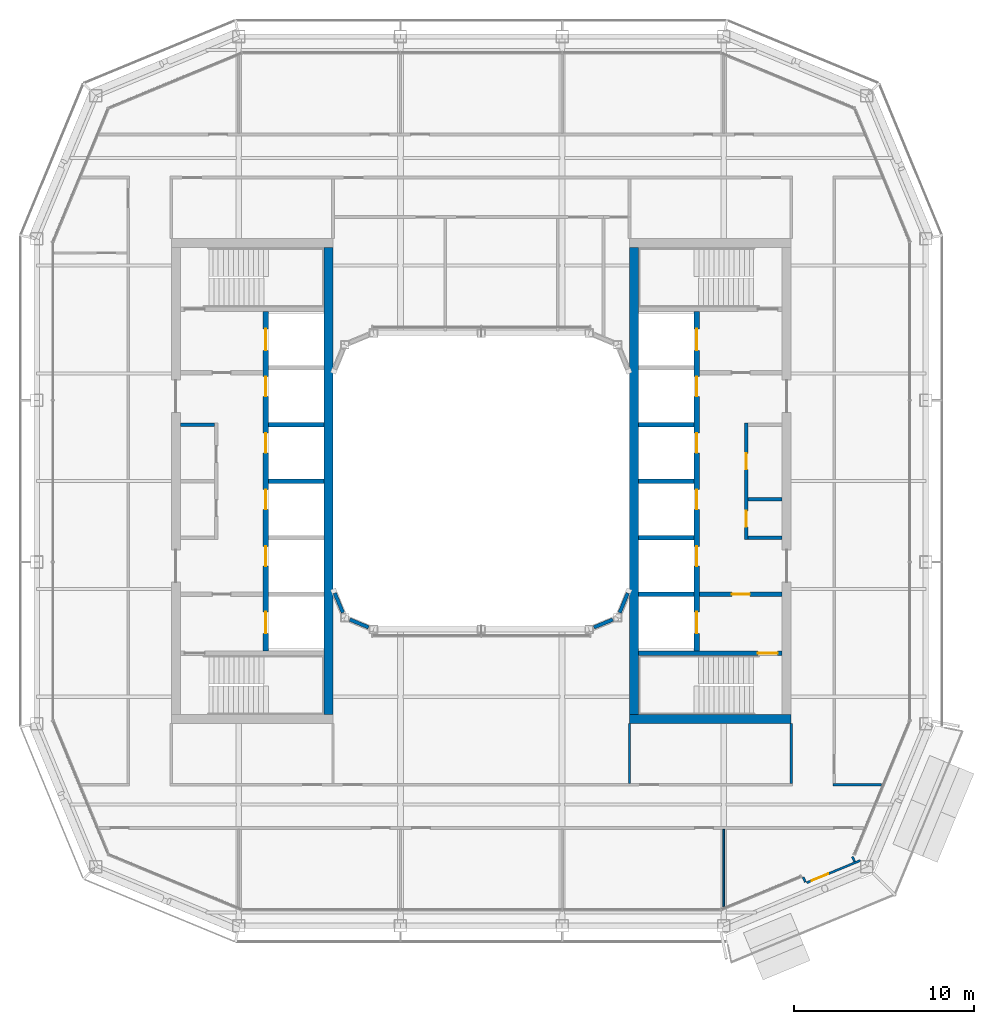
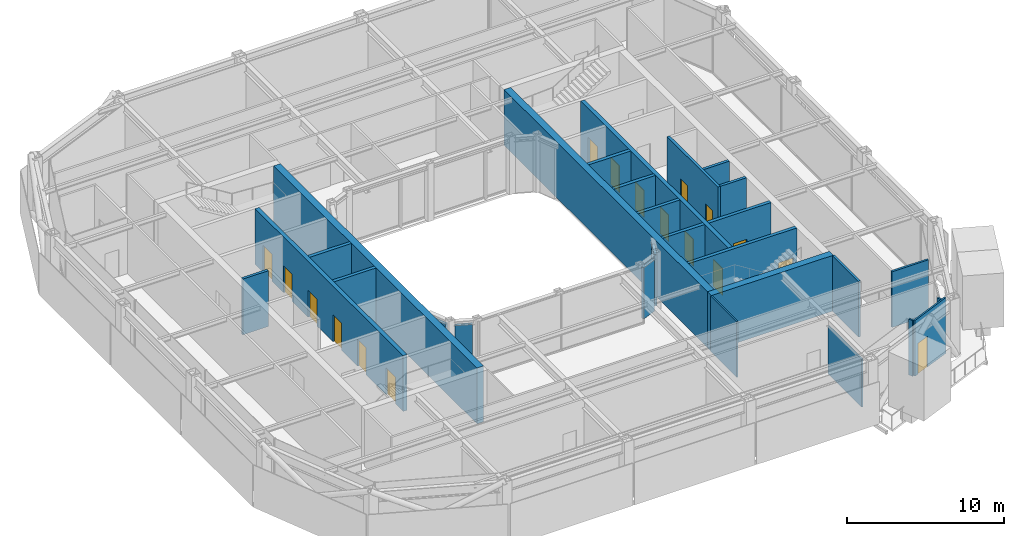
# One storey, part 12 of 21: 28 walls, 17 doors, 17 openings.
"""IFC4 building model written with IfcOpenShell, lengths in metres."""

from ifc_helpers import new_model, si_unit, direction, frame, frame_2d, origin, place, context, subcontext, project, spatial, rectangle, extrude, material, layer, layer_set, type_object, element, fill, save


model = new_model("IFC4")

# Units and contexts
model_context = context("Model", 3, precision=1e-05, world=origin(), true_north=direction((0.0, 1.0)))
body_context = subcontext(model_context, "Body", "Model", "MODEL_VIEW")
ifc_project = project(units=[si_unit("LENGTHUNIT", "METRE"), si_unit("AREAUNIT", "SQUARE_METRE"), si_unit("VOLUMEUNIT", "CUBIC_METRE"), si_unit("PLANEANGLEUNIT", "RADIAN"), si_unit("MASSUNIT", "GRAM", prefix="KILO")], contexts=[model_context])

# Site, building, storey
site_placement = place(None, origin())
site = spatial("IfcSite", under=ifc_project, at=site_placement, CompositionType="ELEMENT")
building_placement = place(site_placement, origin())
building = spatial("IfcBuilding", under=site, at=building_placement, Name="Siwar Civic Tower", CompositionType="ELEMENT")
storey_placement = place(building_placement, frame((0.0, 0.0, 339.199951171875)))
storey = spatial("IfcBuildingStorey", under=building, at=storey_placement, Name="L73", CompositionType="ELEMENT", Elevation=339.199951171875)

# Wall
ifc_material_1 = material(Name="Gypsum board on steel studs", Category="steel")
ifc_layer_1 = layer(ifc_material_1, 0.199951171875)
ifc_layer_set_1 = layer_set([ifc_layer_1], Name="Gypsum board on steel studs")
wall_type_1 = type_object("IfcWallType", Name="CORE-PARTITION-200", PredefinedType="PARTITIONING", material=ifc_layer_set_1)
wall_1_placement = place(storey_placement, frame((-14.85009765625, 3.14990234375, 0.0), z_axis=(0.0, 0.0, 1.0), x_axis=(-1.0, 0.0, 0.0)))
element("IfcWall", 1, at=wall_1_placement, inside=storey, type_object=wall_type_1, Name="Core partition W", PredefinedType="PARTITIONING", context=body_context, shape_type="SweptSolid", body=[
    extrude(rectangle(XDim=1.89990234375, YDim=0.199951171875, at=frame_2d((0.949951171875, 0.0))), origin(), (0.0, 0.0, 1.0), 4.35009765625),
])

# Wall, openings, doors
wall_2_placement = place(storey_placement, frame((14.75, -3.25, 0.0), z_axis=(0.0, 0.0, 1.0), x_axis=(0.0, 1.0, 0.0)))
wall_2 = element("IfcWall", 2, at=wall_2_placement, inside=storey, type_object=wall_type_1, Name="Core partition E", PredefinedType="PARTITIONING", context=body_context, shape_type="SweptSolid", body=[
    extrude(rectangle(XDim=6.5, YDim=0.199951171875, at=frame_2d((3.25, 0.0))), origin(), (0.0, 0.0, 1.0), 4.35009765625),
])
opening_1_placement = place(wall_2_placement, frame((0.699951171875, 0.0, 0.0)))
opening_1 = element("IfcOpeningElement", 3, at=opening_1_placement, cuts=wall_2, Name="Opening L73-CE13", PredefinedType="OPENING", context=body_context, shape_type="SweptSolid", body=[
    extrude(rectangle(XDim=0.89990234375, YDim=2.10009765625, at=frame_2d((0.449951171875, 1.050048828125))), frame((0.0, 0.10986328125, 0.0), z_axis=(0.0, -1.0, 0.0), x_axis=(1.0, 0.0, 0.0)), (0.0, 0.0, 1.0), 0.219970703125),
])
opening_2_placement = place(wall_2_placement, frame((3.89990234375, 0.0, 0.0)))
opening_2 = element("IfcOpeningElement", 4, at=opening_2_placement, cuts=wall_2, Name="Opening L73-CE14", PredefinedType="OPENING", context=body_context, shape_type="SweptSolid", body=[
    extrude(rectangle(XDim=0.89990234375, YDim=2.10009765625, at=frame_2d((0.449951171875, 1.050048828125))), frame((0.0, 0.10986328125, 0.0), z_axis=(0.0, -1.0, 0.0), x_axis=(1.0, 0.0, 0.0)), (0.0, 0.0, 1.0), 0.219970703125),
])
ifc_material_2 = material(Name="Steel door leaf", Category="steel")
door_type_1 = type_object("IfcDoorType", Name="CORE-DOOR-ROOM", OperationType="SINGLE_SWING_LEFT", PredefinedType="DOOR", material=ifc_material_2)
door_1_placement = place(opening_1_placement, origin())
door_1 = element("IfcDoor", 5, at=door_1_placement, inside=storey, type_object=door_type_1, Name="Core room door L73-CE13", OperationType="SINGLE_SWING_LEFT", OverallHeight=2.10009765625, OverallWidth=0.89990234375, PredefinedType="DOOR", context=body_context, shape_type="SweptSolid", body=[
    extrude(rectangle(XDim=0.89990234375, YDim=2.10009765625, at=frame_2d((0.449951171875, 1.050048828125))), frame((0.0, 0.02490234375, 0.0), z_axis=(0.0, -1.0, 0.0), x_axis=(1.0, 0.0, 0.0)), (0.0, 0.0, 1.0), 0.050048828125),
])
fill(opening_1, door_1)
door_2_placement = place(opening_2_placement, origin())
door_2 = element("IfcDoor", 6, at=door_2_placement, inside=storey, type_object=door_type_1, Name="Core room door L73-CE14", OperationType="SINGLE_SWING_RIGHT", OverallHeight=2.10009765625, OverallWidth=0.89990234375, PredefinedType="DOOR", context=body_context, shape_type="SweptSolid", body=[
    extrude(rectangle(XDim=0.89990234375, YDim=2.10009765625, at=frame_2d((0.449951171875, 1.050048828125))), frame((0.0, 0.02490234375, 0.0), z_axis=(0.0, -1.0, 0.0), x_axis=(1.0, 0.0, 0.0)), (0.0, 0.0, 1.0), 0.050048828125),
])
fill(opening_2, door_2)

# Walls
for number, where, z_axis, x_axis, name in (
    (7, (14.85009765625, -3.14990234375, 0.0), (0.0, 0.0, 1.0), (1.0, 0.0, 0.0), "Core partition E"),
    (8, (14.85009765625, -1.0, 0.0), (0.0, 0.0, 1.0), (1.0, 0.0, 0.0), "Core partition E"),
):
    element("IfcWall", number, at=place(storey_placement, frame(where, z_axis=z_axis, x_axis=x_axis)), inside=storey, type_object=wall_type_1, Name=name, PredefinedType="PARTITIONING", context=body_context, shape_type="SweptSolid", body=[
        extrude(rectangle(XDim=1.89990234375, YDim=0.199951171875, at=frame_2d((0.949951171875, 0.0))), origin(), (0.0, 0.0, 1.0), 4.35009765625),
    ])
ifc_material_3 = material(Name="Concrete C60/75", Category="concrete")
ifc_layer_2 = layer(ifc_material_3, 0.25)
ifc_layer_set_2 = layer_set([ifc_layer_2], Name="Concrete C60/75")
wall_type_2 = type_object("IfcWallType", Name="CORE-WALL-RC250", PredefinedType="SHEAR", material=ifc_layer_set_2)
for number, where, z_axis, x_axis, name in (
    (9, (-8.75, 0.0, 0.0), (0.0, 0.0, 1.0), (-1.0, 0.0, 0.0), "Core wall W"),
    (10, (-8.75, 3.14990234375, 0.0), (0.0, 0.0, 1.0), (-1.0, 0.0, 0.0), "Core wall W"),
):
    element("IfcWall", number, at=place(storey_placement, frame(where, z_axis=z_axis, x_axis=x_axis)), inside=storey, type_object=wall_type_2, Name=name, PredefinedType="SHEAR", context=body_context, shape_type="SweptSolid", body=[
        extrude(rectangle(XDim=3.10009765625, YDim=0.25, at=frame_2d((1.550048828125, 0.0))), origin(), (0.0, 0.0, 1.0), 4.35009765625),
    ])

# Wall, opening, door
wall_3_placement = place(storey_placement, frame((12.14990234375, -6.300048828125, 0.0), z_axis=(0.0, 0.0, 1.0), x_axis=(1.0, 0.0, 0.0)))
wall_3 = element("IfcWall", 11, at=wall_3_placement, inside=storey, type_object=wall_type_2, Name="Core wall E", PredefinedType="SHEAR", context=body_context, shape_type="SweptSolid", body=[
    extrude(rectangle(XDim=4.60009765625, YDim=0.25, at=frame_2d((2.300048828125, 0.0))), origin(), (0.0, 0.0, 1.0), 4.35009765625),
])
opening_3_placement = place(wall_3_placement, frame((1.800048828125, 0.0, 0.0)))
opening_3 = element("IfcOpeningElement", 12, at=opening_3_placement, cuts=wall_3, Name="Opening L73-CE02", PredefinedType="OPENING", context=body_context, shape_type="SweptSolid", body=[
    extrude(rectangle(XDim=1.0, YDim=2.10009765625, at=frame_2d((0.5, 1.050048828125))), frame((0.0, 0.135009765625, 0.0), z_axis=(0.0, -1.0, 0.0), x_axis=(1.0, 0.0, 0.0)), (0.0, 0.0, 1.0), 0.27001953125),
])
ifc_material_4 = material(Name="Steel door leaf", Category="steel")
door_type_2 = type_object("IfcDoorType", Name="CORE-DOOR-FD30S", OperationType="SINGLE_SWING_LEFT", PredefinedType="DOOR", material=ifc_material_4)
door_3_placement = place(opening_3_placement, origin())
door_3 = element("IfcDoor", 13, at=door_3_placement, inside=storey, type_object=door_type_2, Name="Service lobby door L73-CE02", OperationType="SINGLE_SWING_LEFT", OverallHeight=2.10009765625, OverallWidth=1.0, PredefinedType="DOOR", context=body_context, shape_type="SweptSolid", body=[
    extrude(rectangle(XDim=1.0, YDim=2.10009765625, at=frame_2d((0.5, 1.050048828125))), frame((0.0, 0.02490234375, 0.0), z_axis=(0.0, -1.0, 0.0), x_axis=(1.0, 0.0, 0.0)), (0.0, 0.0, 1.0), 0.050048828125),
])
fill(opening_3, door_3)

# Walls
for number, where, z_axis, x_axis, name in (
    (14, (8.75, 0.0, 0.0), (0.0, 0.0, 1.0), (1.0, 0.0, 0.0), "Core wall E"),
    (15, (8.75, 3.14990234375, 0.0), (0.0, 0.0, 1.0), (1.0, 0.0, 0.0), "Core wall E"),
    (16, (8.75, -3.14990234375, 0.0), (0.0, 0.0, 1.0), (1.0, 0.0, 0.0), "Core wall E"),
    (17, (8.75, -6.300048828125, 0.0), (0.0, 0.0, 1.0), (1.0, 0.0, 0.0), "Core wall E"),
):
    element("IfcWall", number, at=place(storey_placement, frame(where, z_axis=z_axis, x_axis=x_axis)), inside=storey, type_object=wall_type_2, Name=name, PredefinedType="SHEAR", context=body_context, shape_type="SweptSolid", body=[
        extrude(rectangle(XDim=3.10009765625, YDim=0.25, at=frame_2d((1.550048828125, 0.0))), origin(), (0.0, 0.0, 1.0), 4.35009765625),
    ])

# Wall, opening, door
wall_4_placement = place(storey_placement, frame((8.75, -9.574951171875, 0.0), z_axis=(0.0, 0.0, 1.0), x_axis=(1.0, 0.0, 0.0)))
wall_4 = element("IfcWall", 18, at=wall_4_placement, inside=storey, type_object=wall_type_2, Name="Core wall E", PredefinedType="SHEAR", context=body_context, shape_type="SweptSolid", body=[
    extrude(rectangle(XDim=8.0, YDim=0.25, at=frame_2d((4.0, 0.0))), origin(), (0.0, 0.0, 1.0), 4.35009765625),
])
opening_4_placement = place(wall_4_placement, frame((6.64990234375, 0.0, 0.0)))
opening_4 = element("IfcOpeningElement", 19, at=opening_4_placement, cuts=wall_4, Name="Opening L73-CE04", PredefinedType="OPENING", context=body_context, shape_type="SweptSolid", body=[
    extrude(rectangle(XDim=1.10009765625, YDim=2.10009765625, at=frame_2d((0.550048828125, 1.050048828125))), frame((0.0, 0.135009765625, 0.0), z_axis=(0.0, -1.0, 0.0), x_axis=(1.0, 0.0, 0.0)), (0.0, 0.0, 1.0), 0.27001953125),
])
ifc_material_5 = material(Name="Steel door leaf", Category="steel")
door_type_3 = type_object("IfcDoorType", Name="CORE-DOOR-FD60S", OperationType="SINGLE_SWING_LEFT", PredefinedType="DOOR", material=ifc_material_5)
door_4_placement = place(opening_4_placement, origin())
door_4 = element("IfcDoor", 20, at=door_4_placement, inside=storey, type_object=door_type_3, Name="Stair door L73-CE04", OperationType="SINGLE_SWING_RIGHT", OverallHeight=2.10009765625, OverallWidth=1.10009765625, PredefinedType="DOOR", context=body_context, shape_type="SweptSolid", body=[
    extrude(rectangle(XDim=1.10009765625, YDim=2.10009765625, at=frame_2d((0.550048828125, 1.050048828125))), frame((0.0, 0.02490234375, 0.0), z_axis=(0.0, -1.0, 0.0), x_axis=(1.0, 0.0, 0.0)), (0.0, 0.0, 1.0), 0.050048828125),
])
fill(opening_4, door_4)

# Wall, openings, doors
ifc_material_6 = material(Name="Concrete C60/75", Category="concrete")
ifc_layer_3 = layer(ifc_material_6, 0.300048828125)
ifc_layer_set_3 = layer_set([ifc_layer_3], Name="Concrete C60/75")
wall_type_3 = type_object("IfcWallType", Name="CORE-WALL-RC300", PredefinedType="SHEAR", material=ifc_layer_set_3)
wall_5_placement = place(storey_placement, frame((-12.0, -9.449951171875, 0.0), z_axis=(0.0, 0.0, 1.0), x_axis=(0.0, 1.0, 0.0)))
wall_5 = element("IfcWall", 21, at=wall_5_placement, inside=storey, type_object=wall_type_3, Name="Core wall W", PredefinedType="SHEAR", context=body_context, shape_type="SweptSolid", body=[
    extrude(rectangle(XDim=18.89990234375, YDim=0.300048828125, at=frame_2d((9.449951171875, 0.0))), origin(), (0.0, 0.0, 1.0), 4.35009765625),
])
opening_5_placement = place(wall_5_placement, frame((4.72509765625, 0.0, 0.0)))
opening_5 = element("IfcOpeningElement", 22, at=opening_5_placement, cuts=wall_5, Name="Opening L73-CW07", PredefinedType="OPENING", context=body_context, shape_type="SweptSolid", body=[
    extrude(rectangle(XDim=1.10009765625, YDim=2.10009765625, at=frame_2d((0.550048828125, 1.050048828125))), frame((0.0, 0.16015625, 0.0), z_axis=(0.0, -1.0, 0.0), x_axis=(1.0, 0.0, 0.0)), (0.0, 0.0, 1.0), 0.320068359375),
])
opening_6_placement = place(wall_5_placement, frame((7.875, 0.0, 0.0)))
opening_6 = element("IfcOpeningElement", 23, at=opening_6_placement, cuts=wall_5, Name="Opening L73-CW08", PredefinedType="OPENING", context=body_context, shape_type="SweptSolid", body=[
    extrude(rectangle(XDim=1.10009765625, YDim=2.10009765625, at=frame_2d((0.550048828125, 1.050048828125))), frame((0.0, 0.16015625, 0.0), z_axis=(0.0, -1.0, 0.0), x_axis=(1.0, 0.0, 0.0)), (0.0, 0.0, 1.0), 0.320068359375),
])
opening_7_placement = place(wall_5_placement, frame((11.02490234375, 0.0, 0.0)))
opening_7 = element("IfcOpeningElement", 24, at=opening_7_placement, cuts=wall_5, Name="Opening L73-CW09", PredefinedType="OPENING", context=body_context, shape_type="SweptSolid", body=[
    extrude(rectangle(XDim=1.10009765625, YDim=2.10009765625, at=frame_2d((0.550048828125, 1.050048828125))), frame((0.0, 0.16015625, 0.0), z_axis=(0.0, -1.0, 0.0), x_axis=(1.0, 0.0, 0.0)), (0.0, 0.0, 1.0), 0.320068359375),
])
opening_8_placement = place(wall_5_placement, frame((14.175048828125, 0.0, 0.0)))
opening_8 = element("IfcOpeningElement", 25, at=opening_8_placement, cuts=wall_5, Name="Opening L73-CW10", PredefinedType="OPENING", context=body_context, shape_type="SweptSolid", body=[
    extrude(rectangle(XDim=1.10009765625, YDim=2.10009765625, at=frame_2d((0.550048828125, 1.050048828125))), frame((0.0, 0.16015625, 0.0), z_axis=(0.0, -1.0, 0.0), x_axis=(1.0, 0.0, 0.0)), (0.0, 0.0, 1.0), 0.320068359375),
])
opening_9_placement = place(wall_5_placement, frame((16.72509765625, 0.0, 0.0)))
opening_9 = element("IfcOpeningElement", 26, at=opening_9_placement, cuts=wall_5, Name="Opening L73-CW11", PredefinedType="OPENING", context=body_context, shape_type="SweptSolid", body=[
    extrude(rectangle(XDim=1.199951171875, YDim=2.10009765625, at=frame_2d((0.60009765625, 1.050048828125))), frame((0.0, 0.16015625, 0.0), z_axis=(0.0, -1.0, 0.0), x_axis=(1.0, 0.0, 0.0)), (0.0, 0.0, 1.0), 0.320068359375),
])
opening_10_placement = place(wall_5_placement, frame((0.97509765625, 0.0, 0.0)))
opening_10 = element("IfcOpeningElement", 27, at=opening_10_placement, cuts=wall_5, Name="Opening L73-CW12", PredefinedType="OPENING", context=body_context, shape_type="SweptSolid", body=[
    extrude(rectangle(XDim=1.199951171875, YDim=2.10009765625, at=frame_2d((0.60009765625, 1.050048828125))), frame((0.0, 0.16015625, 0.0), z_axis=(0.0, -1.0, 0.0), x_axis=(1.0, 0.0, 0.0)), (0.0, 0.0, 1.0), 0.320068359375),
])
ifc_material_7 = material(Name="Steel door leaf", Category="steel")
door_type_4 = type_object("IfcDoorType", Name="CORE-DOOR-LD", OperationType="DOUBLE_DOOR_SLIDING", PredefinedType="DOOR", material=ifc_material_7)
door_5_placement = place(opening_5_placement, origin())
door_5 = element("IfcDoor", 28, at=door_5_placement, inside=storey, type_object=door_type_4, Name="Landing door HR1 L73-CW07", OperationType="DOUBLE_DOOR_SLIDING", OverallHeight=2.10009765625, OverallWidth=1.10009765625, PredefinedType="DOOR", context=body_context, shape_type="SweptSolid", body=[
    extrude(rectangle(XDim=1.10009765625, YDim=2.10009765625, at=frame_2d((0.550048828125, 1.050048828125))), frame((0.0, 0.02490234375, 0.0), z_axis=(0.0, -1.0, 0.0), x_axis=(1.0, 0.0, 0.0)), (0.0, 0.0, 1.0), 0.050048828125),
])
fill(opening_5, door_5)
door_6_placement = place(opening_6_placement, origin())
door_6 = element("IfcDoor", 29, at=door_6_placement, inside=storey, type_object=door_type_4, Name="Landing door HR2 L73-CW08", OperationType="DOUBLE_DOOR_SLIDING", OverallHeight=2.10009765625, OverallWidth=1.10009765625, PredefinedType="DOOR", context=body_context, shape_type="SweptSolid", body=[
    extrude(rectangle(XDim=1.10009765625, YDim=2.10009765625, at=frame_2d((0.550048828125, 1.050048828125))), frame((0.0, 0.02490234375, 0.0), z_axis=(0.0, -1.0, 0.0), x_axis=(1.0, 0.0, 0.0)), (0.0, 0.0, 1.0), 0.050048828125),
])
fill(opening_6, door_6)
door_7_placement = place(opening_7_placement, origin())
door_7 = element("IfcDoor", 30, at=door_7_placement, inside=storey, type_object=door_type_4, Name="Landing door HR3 L73-CW09", OperationType="DOUBLE_DOOR_SLIDING", OverallHeight=2.10009765625, OverallWidth=1.10009765625, PredefinedType="DOOR", context=body_context, shape_type="SweptSolid", body=[
    extrude(rectangle(XDim=1.10009765625, YDim=2.10009765625, at=frame_2d((0.550048828125, 1.050048828125))), frame((0.0, 0.02490234375, 0.0), z_axis=(0.0, -1.0, 0.0), x_axis=(1.0, 0.0, 0.0)), (0.0, 0.0, 1.0), 0.050048828125),
])
fill(opening_7, door_7)
door_8_placement = place(opening_8_placement, origin())
door_8 = element("IfcDoor", 31, at=door_8_placement, inside=storey, type_object=door_type_4, Name="Landing door HR4 L73-CW10", OperationType="DOUBLE_DOOR_SLIDING", OverallHeight=2.10009765625, OverallWidth=1.10009765625, PredefinedType="DOOR", context=body_context, shape_type="SweptSolid", body=[
    extrude(rectangle(XDim=1.10009765625, YDim=2.10009765625, at=frame_2d((0.550048828125, 1.050048828125))), frame((0.0, 0.02490234375, 0.0), z_axis=(0.0, -1.0, 0.0), x_axis=(1.0, 0.0, 0.0)), (0.0, 0.0, 1.0), 0.050048828125),
])
fill(opening_8, door_8)
ifc_material_8 = material(Name="Steel door leaf", Category="steel")
door_type_5 = type_object("IfcDoorType", Name="CORE-DOOR-LDW", OperationType="DOUBLE_DOOR_SLIDING", PredefinedType="DOOR", material=ifc_material_8)
door_9_placement = place(opening_9_placement, origin())
door_9 = element("IfcDoor", 32, at=door_9_placement, inside=storey, type_object=door_type_5, Name="Landing door FF1 L73-CW11", OperationType="DOUBLE_DOOR_SLIDING", OverallHeight=2.10009765625, OverallWidth=1.199951171875, PredefinedType="DOOR", context=body_context, shape_type="SweptSolid", body=[
    extrude(rectangle(XDim=1.199951171875, YDim=2.10009765625, at=frame_2d((0.60009765625, 1.050048828125))), frame((0.0, 0.02490234375, 0.0), z_axis=(0.0, -1.0, 0.0), x_axis=(1.0, 0.0, 0.0)), (0.0, 0.0, 1.0), 0.050048828125),
])
fill(opening_9, door_9)
door_10_placement = place(opening_10_placement, origin())
door_10 = element("IfcDoor", 33, at=door_10_placement, inside=storey, type_object=door_type_5, Name="Landing door SV1 L73-CW12", OperationType="DOUBLE_DOOR_SLIDING", OverallHeight=2.10009765625, OverallWidth=1.199951171875, PredefinedType="DOOR", context=body_context, shape_type="SweptSolid", body=[
    extrude(rectangle(XDim=1.199951171875, YDim=2.10009765625, at=frame_2d((0.60009765625, 1.050048828125))), frame((0.0, 0.02490234375, 0.0), z_axis=(0.0, -1.0, 0.0), x_axis=(1.0, 0.0, 0.0)), (0.0, 0.0, 1.0), 0.050048828125),
])
fill(opening_10, door_10)

wall_6_placement = place(storey_placement, frame((12.0, -9.449951171875, 0.0), z_axis=(0.0, 0.0, 1.0), x_axis=(0.0, 1.0, 0.0)))
wall_6 = element("IfcWall", 34, at=wall_6_placement, inside=storey, type_object=wall_type_3, Name="Core wall E", PredefinedType="SHEAR", context=body_context, shape_type="SweptSolid", body=[
    extrude(rectangle(XDim=18.89990234375, YDim=0.300048828125, at=frame_2d((9.449951171875, 0.0))), origin(), (0.0, 0.0, 1.0), 4.35009765625),
])
opening_11_placement = place(wall_6_placement, frame((4.72509765625, 0.0, 0.0)))
opening_11 = element("IfcOpeningElement", 35, at=opening_11_placement, cuts=wall_6, Name="Opening L73-CE07", PredefinedType="OPENING", context=body_context, shape_type="SweptSolid", body=[
    extrude(rectangle(XDim=1.10009765625, YDim=2.10009765625, at=frame_2d((0.550048828125, 1.050048828125))), frame((0.0, 0.16015625, 0.0), z_axis=(0.0, -1.0, 0.0), x_axis=(1.0, 0.0, 0.0)), (0.0, 0.0, 1.0), 0.320068359375),
])
opening_12_placement = place(wall_6_placement, frame((7.875, 0.0, 0.0)))
opening_12 = element("IfcOpeningElement", 36, at=opening_12_placement, cuts=wall_6, Name="Opening L73-CE08", PredefinedType="OPENING", context=body_context, shape_type="SweptSolid", body=[
    extrude(rectangle(XDim=1.10009765625, YDim=2.10009765625, at=frame_2d((0.550048828125, 1.050048828125))), frame((0.0, 0.16015625, 0.0), z_axis=(0.0, -1.0, 0.0), x_axis=(1.0, 0.0, 0.0)), (0.0, 0.0, 1.0), 0.320068359375),
])
opening_13_placement = place(wall_6_placement, frame((11.02490234375, 0.0, 0.0)))
opening_13 = element("IfcOpeningElement", 37, at=opening_13_placement, cuts=wall_6, Name="Opening L73-CE09", PredefinedType="OPENING", context=body_context, shape_type="SweptSolid", body=[
    extrude(rectangle(XDim=1.10009765625, YDim=2.10009765625, at=frame_2d((0.550048828125, 1.050048828125))), frame((0.0, 0.16015625, 0.0), z_axis=(0.0, -1.0, 0.0), x_axis=(1.0, 0.0, 0.0)), (0.0, 0.0, 1.0), 0.320068359375),
])
opening_14_placement = place(wall_6_placement, frame((14.175048828125, 0.0, 0.0)))
opening_14 = element("IfcOpeningElement", 38, at=opening_14_placement, cuts=wall_6, Name="Opening L73-CE10", PredefinedType="OPENING", context=body_context, shape_type="SweptSolid", body=[
    extrude(rectangle(XDim=1.10009765625, YDim=2.10009765625, at=frame_2d((0.550048828125, 1.050048828125))), frame((0.0, 0.16015625, 0.0), z_axis=(0.0, -1.0, 0.0), x_axis=(1.0, 0.0, 0.0)), (0.0, 0.0, 1.0), 0.320068359375),
])
opening_15_placement = place(wall_6_placement, frame((16.72509765625, 0.0, 0.0)))
opening_15 = element("IfcOpeningElement", 39, at=opening_15_placement, cuts=wall_6, Name="Opening L73-CE11", PredefinedType="OPENING", context=body_context, shape_type="SweptSolid", body=[
    extrude(rectangle(XDim=1.199951171875, YDim=2.10009765625, at=frame_2d((0.60009765625, 1.050048828125))), frame((0.0, 0.16015625, 0.0), z_axis=(0.0, -1.0, 0.0), x_axis=(1.0, 0.0, 0.0)), (0.0, 0.0, 1.0), 0.320068359375),
])
opening_16_placement = place(wall_6_placement, frame((0.97509765625, 0.0, 0.0)))
opening_16 = element("IfcOpeningElement", 40, at=opening_16_placement, cuts=wall_6, Name="Opening L73-CE12", PredefinedType="OPENING", context=body_context, shape_type="SweptSolid", body=[
    extrude(rectangle(XDim=1.199951171875, YDim=2.10009765625, at=frame_2d((0.60009765625, 1.050048828125))), frame((0.0, 0.16015625, 0.0), z_axis=(0.0, -1.0, 0.0), x_axis=(1.0, 0.0, 0.0)), (0.0, 0.0, 1.0), 0.320068359375),
])
door_11_placement = place(opening_11_placement, origin())
door_11 = element("IfcDoor", 41, at=door_11_placement, inside=storey, type_object=door_type_4, Name="Landing door HR5 L73-CE07", OperationType="DOUBLE_DOOR_SLIDING", OverallHeight=2.10009765625, OverallWidth=1.10009765625, PredefinedType="DOOR", context=body_context, shape_type="SweptSolid", body=[
    extrude(rectangle(XDim=1.10009765625, YDim=2.10009765625, at=frame_2d((0.550048828125, 1.050048828125))), frame((0.0, 0.02490234375, 0.0), z_axis=(0.0, -1.0, 0.0), x_axis=(1.0, 0.0, 0.0)), (0.0, 0.0, 1.0), 0.050048828125),
])
fill(opening_11, door_11)
door_12_placement = place(opening_12_placement, origin())
door_12 = element("IfcDoor", 42, at=door_12_placement, inside=storey, type_object=door_type_4, Name="Landing door HR6 L73-CE08", OperationType="DOUBLE_DOOR_SLIDING", OverallHeight=2.10009765625, OverallWidth=1.10009765625, PredefinedType="DOOR", context=body_context, shape_type="SweptSolid", body=[
    extrude(rectangle(XDim=1.10009765625, YDim=2.10009765625, at=frame_2d((0.550048828125, 1.050048828125))), frame((0.0, 0.02490234375, 0.0), z_axis=(0.0, -1.0, 0.0), x_axis=(1.0, 0.0, 0.0)), (0.0, 0.0, 1.0), 0.050048828125),
])
fill(opening_12, door_12)
door_13_placement = place(opening_13_placement, origin())
door_13 = element("IfcDoor", 43, at=door_13_placement, inside=storey, type_object=door_type_4, Name="Landing door HR7 L73-CE09", OperationType="DOUBLE_DOOR_SLIDING", OverallHeight=2.10009765625, OverallWidth=1.10009765625, PredefinedType="DOOR", context=body_context, shape_type="SweptSolid", body=[
    extrude(rectangle(XDim=1.10009765625, YDim=2.10009765625, at=frame_2d((0.550048828125, 1.050048828125))), frame((0.0, 0.02490234375, 0.0), z_axis=(0.0, -1.0, 0.0), x_axis=(1.0, 0.0, 0.0)), (0.0, 0.0, 1.0), 0.050048828125),
])
fill(opening_13, door_13)
door_14_placement = place(opening_14_placement, origin())
door_14 = element("IfcDoor", 44, at=door_14_placement, inside=storey, type_object=door_type_4, Name="Landing door HR8 L73-CE10", OperationType="DOUBLE_DOOR_SLIDING", OverallHeight=2.10009765625, OverallWidth=1.10009765625, PredefinedType="DOOR", context=body_context, shape_type="SweptSolid", body=[
    extrude(rectangle(XDim=1.10009765625, YDim=2.10009765625, at=frame_2d((0.550048828125, 1.050048828125))), frame((0.0, 0.02490234375, 0.0), z_axis=(0.0, -1.0, 0.0), x_axis=(1.0, 0.0, 0.0)), (0.0, 0.0, 1.0), 0.050048828125),
])
fill(opening_14, door_14)
door_15_placement = place(opening_15_placement, origin())
door_15 = element("IfcDoor", 45, at=door_15_placement, inside=storey, type_object=door_type_5, Name="Landing door FF2 L73-CE11", OperationType="DOUBLE_DOOR_SLIDING", OverallHeight=2.10009765625, OverallWidth=1.199951171875, PredefinedType="DOOR", context=body_context, shape_type="SweptSolid", body=[
    extrude(rectangle(XDim=1.199951171875, YDim=2.10009765625, at=frame_2d((0.60009765625, 1.050048828125))), frame((0.0, 0.02490234375, 0.0), z_axis=(0.0, -1.0, 0.0), x_axis=(1.0, 0.0, 0.0)), (0.0, 0.0, 1.0), 0.050048828125),
])
fill(opening_15, door_15)
door_16_placement = place(opening_16_placement, origin())
door_16 = element("IfcDoor", 46, at=door_16_placement, inside=storey, type_object=door_type_5, Name="Landing door SV2 L73-CE12", OperationType="DOUBLE_DOOR_SLIDING", OverallHeight=2.10009765625, OverallWidth=1.199951171875, PredefinedType="DOOR", context=body_context, shape_type="SweptSolid", body=[
    extrude(rectangle(XDim=1.199951171875, YDim=2.10009765625, at=frame_2d((0.60009765625, 1.050048828125))), frame((0.0, 0.02490234375, 0.0), z_axis=(0.0, -1.0, 0.0), x_axis=(1.0, 0.0, 0.0)), (0.0, 0.0, 1.0), 0.050048828125),
])
fill(opening_16, door_16)

# Walls
ifc_material_9 = material(Name="Concrete C60/75", Category="concrete")
ifc_layer_4 = layer(ifc_material_9, 0.5)
ifc_layer_set_4 = layer_set([ifc_layer_4], Name="Concrete C60/75")
wall_type_4 = type_object("IfcWallType", Name="CORE-WALL-RC500", PredefinedType="SHEAR", material=ifc_layer_set_4)
wall_7_placement = place(storey_placement, frame((8.25, -13.25, 0.0), z_axis=(0.0, 0.0, 1.0), x_axis=(1.0, 0.0, 0.0)))
element("IfcWall", 47, at=wall_7_placement, inside=storey, type_object=wall_type_4, Name="Core wall E", PredefinedType="SHEAR", context=body_context, shape_type="SweptSolid", body=[
    extrude(rectangle(XDim=9.0, YDim=0.5, at=frame_2d((4.5, 0.0))), origin(), (0.0, 0.0, 1.0), 4.35009765625),
])
ifc_material_10 = material(Name="Concrete C60/75", Category="concrete")
ifc_layer_5 = layer(ifc_material_10, 0.5)
ifc_layer_set_5 = layer_set([ifc_layer_5], Name="Concrete C60/75")
wall_type_5 = type_object("IfcWallType", Name="CORE-WALL-RC500-EXT", PredefinedType="SHEAR", material=ifc_layer_set_5)
for number, where, z_axis, x_axis, name in (
    (48, (-8.5, -13.0, 0.0), (0.0, 0.0, 1.0), (0.0, 1.0, 0.0), "Core wall W"),
    (49, (8.5, -13.0, 0.0), (0.0, 0.0, 1.0), (0.0, 1.0, 0.0), "Core wall E"),
):
    element("IfcWall", number, at=place(storey_placement, frame(where, z_axis=z_axis, x_axis=x_axis)), inside=storey, type_object=wall_type_5, Name=name, PredefinedType="SHEAR", context=body_context, shape_type="SweptSolid", body=[
        extrude(rectangle(XDim=26.0, YDim=0.5, at=frame_2d((13.0, 0.0))), origin(), (0.0, 0.0, 1.0), 4.35009765625),
    ])
ifc_material_11 = material(Name="Gypsum board on steel studs", Category="steel")
ifc_layer_6 = layer(ifc_material_11, 0.14990234375)
ifc_layer_set_6 = layer_set([ifc_layer_6], Name="Gypsum board on steel studs")
wall_type_6 = type_object("IfcWallType", Name="CORRIDOR PARTITION 150 EI 30", PredefinedType="PARTITIONING", material=ifc_layer_set_6)
wall_8_placement = place(storey_placement, frame((19.574951171875, -16.89990234375, 0.0), z_axis=(0.0, 0.0, 1.0), x_axis=(1.0, 0.0, 0.0)))
element("IfcWall", 50, at=wall_8_placement, inside=storey, type_object=wall_type_6, Name="L73/wall/P04", PredefinedType="PARTITIONING", context=body_context, shape_type="SweptSolid", body=[
    extrude(rectangle(XDim=2.695068359375, YDim=0.14990234375, at=frame_2d((1.34765625, 0.0))), origin(), (0.0, 0.0, 1.0), 4.35009765625),
])
wall_9_placement = place(storey_placement, frame((17.25, -16.824951171875, 0.0), z_axis=(0.0, 0.0, 1.0), x_axis=(0.0, 1.0, 0.0)))
element("IfcWall", 51, at=wall_9_placement, inside=storey, type_object=wall_type_6, Name="L73/wall/P31", PredefinedType="PARTITIONING", context=body_context, shape_type="SweptSolid", body=[
    extrude(rectangle(XDim=3.324951171875, YDim=0.14990234375, at=frame_2d((1.66259765625, 0.0))), origin(), (0.0, 0.0, 1.0), 4.35009765625),
])
ifc_material_12 = material(Name="Aluminium clad insulated panel", Category="aluminium")
ifc_layer_7 = layer(ifc_material_12, 0.1201171875)
ifc_layer_set_7 = layer_set([ifc_layer_7], Name="Aluminium clad insulated panel")
wall_type_7 = type_object("IfcWallType", Name="ENV-WALL-BAL", PredefinedType="STANDARD", material=ifc_layer_set_7)
wall_10_placement = place(storey_placement, frame((17.91748046875, -22.03271484375, 0.0), z_axis=(0.0, 0.0, 1.0), x_axis=(0.382769136873, -0.923844027884, 0.0)))
element("IfcWall", 52, at=wall_10_placement, inside=storey, type_object=wall_type_7, Name="Balcony door wall return SE1", PredefinedType="STANDARD", context=body_context, shape_type="SweptSolid", body=[
    extrude(rectangle(XDim=0.31005859375, YDim=0.1201171875, at=frame_2d((0.155029296875, 0.0))), origin(), (0.0, 0.0, 1.0), 4.35009765625),
])
wall_11_placement = place(storey_placement, frame((20.66015625, -20.896484375, 0.0), z_axis=(0.0, 0.0, 1.0), x_axis=(0.382490814953, -0.923959293734, 0.0)))
element("IfcWall", 53, at=wall_11_placement, inside=storey, type_object=wall_type_7, Name="Balcony door wall return SE1", PredefinedType="STANDARD", context=body_context, shape_type="SweptSolid", body=[
    extrude(rectangle(XDim=0.310302734375, YDim=0.1201171875, at=frame_2d((0.1552734375, 0.0))), origin(), (0.0, 0.0, 1.0), 4.35009765625),
])

# Wall, opening, door
wall_12_placement = place(storey_placement, frame((18.114501953125, -22.3515625, 0.0), z_axis=(0.0, 0.0, 1.0), x_axis=(0.923871583709, 0.382702621907, 0.0)))
wall_12 = element("IfcWall", 54, at=wall_12_placement, inside=storey, type_object=wall_type_7, Name="Balcony door wall SE1", PredefinedType="STANDARD", context=body_context, shape_type="SweptSolid", body=[
    extrude(rectangle(XDim=3.23681640625, YDim=0.1201171875, at=frame_2d((1.618408203125, 0.0))), origin(), (0.0, 0.0, 1.0), 4.35009765625),
])
opening_17_placement = place(wall_12_placement, frame((0.300048828125, 0.0, 0.0)))
opening_17 = element("IfcOpeningElement", 55, at=opening_17_placement, cuts=wall_12, Name="Opening D-BAL", PredefinedType="OPENING", context=body_context, shape_type="SweptSolid", body=[
    extrude(rectangle(XDim=1.0, YDim=2.39990234375, at=frame_2d((0.5, 1.199951171875))), frame((0.0, 0.070068359375, 0.0), z_axis=(0.0, -1.0, 0.0), x_axis=(1.0, 0.0, 0.0)), (0.0, 0.0, 1.0), 0.14013671875),
])
ifc_material_13 = material(Name="Aluminium and glass", Category="aluminium")
door_type_6 = type_object("IfcDoorType", Name="ENV-DOOR-BAL", OperationType="SINGLE_SWING_LEFT", PredefinedType="DOOR", material=ifc_material_13)
door_17_placement = place(opening_17_placement, origin())
door_17 = element("IfcDoor", 56, at=door_17_placement, inside=storey, type_object=door_type_6, Name="Balcony door SE", OperationType="SINGLE_SWING_LEFT", OverallHeight=2.39990234375, OverallWidth=1.0, PredefinedType="DOOR", context=body_context, shape_type="SweptSolid", body=[
    extrude(rectangle(XDim=1.0, YDim=2.39990234375, at=frame_2d((0.5, 1.199951171875))), frame((0.0, 0.02490234375, 0.0), z_axis=(0.0, -1.0, 0.0), x_axis=(1.0, 0.0, 0.0)), (0.0, 0.0, 1.0), 0.050048828125),
])
fill(opening_17, door_17)

# Walls
ifc_material_14 = material(Name="Aluminium clad insulated panel", Category="aluminium")
ifc_layer_8 = layer(ifc_material_14, 0.199951171875)
ifc_layer_set_8 = layer_set([ifc_layer_8], Name="Aluminium clad insulated panel")
wall_type_8 = type_object("IfcWallType", Name="ENV-WALL-WELL", PredefinedType="STANDARD", material=ifc_layer_set_8)
wall_13_placement = place(storey_placement, frame((6.271484375, -8.137451171875, 0.0), z_axis=(0.0, 0.0, 1.0), x_axis=(0.923864661962, 0.382719331074, 0.0)))
element("IfcWall", 57, at=wall_13_placement, inside=storey, type_object=wall_type_8, Name="Light well corner wall SE1", PredefinedType="STANDARD", context=body_context, shape_type="SweptSolid", body=[
    extrude(rectangle(XDim=1.13427734375, YDim=0.199951171875, at=frame_2d((0.567138671875, 0.0))), origin(), (0.0, 0.0, 1.0), 4.010009765625),
])
for number, where, z_axis, x_axis, name in (
    (58, (7.703369140625, -7.3193359375, 0.0), (0.0, 0.0, 1.0), (0.382760542083, 0.92384758885, 0.0), "Light well corner wall SE2"),
    (59, (-8.154296875, -6.23095703125, 0.0), (0.0, 0.0, 1.0), (0.382760542083, -0.92384758885, 0.0), "Light well corner wall SW1"),
):
    element("IfcWall", number, at=place(storey_placement, frame(where, z_axis=z_axis, x_axis=x_axis)), inside=storey, type_object=wall_type_8, Name=name, PredefinedType="STANDARD", context=body_context, shape_type="SweptSolid", body=[
        extrude(rectangle(XDim=1.177978515625, YDim=0.199951171875, at=frame_2d((0.5888671875, 0.0))), origin(), (0.0, 0.0, 1.0), 4.010009765625),
    ])
wall_14_placement = place(storey_placement, frame((-7.3193359375, -7.703369140625, 0.0), z_axis=(0.0, 0.0, 1.0), x_axis=(0.923864661962, -0.382719331074, 0.0)))
element("IfcWall", 60, at=wall_14_placement, inside=storey, type_object=wall_type_8, Name="Light well corner wall SW2", PredefinedType="STANDARD", context=body_context, shape_type="SweptSolid", body=[
    extrude(rectangle(XDim=1.13427734375, YDim=0.199951171875, at=frame_2d((0.567138671875, 0.0))), origin(), (0.0, 0.0, 1.0), 4.010009765625),
])
ifc_material_15 = material(Name="Gypsum board on steel studs", Category="steel")
ifc_layer_9 = layer(ifc_material_15, 0.10009765625)
ifc_layer_set_9 = layer_set([ifc_layer_9], Name="Gypsum board on steel studs")
wall_type_9 = type_object("IfcWallType", Name="PARTITION 100 GYPSUM", PredefinedType="PARTITIONING", material=ifc_layer_set_9)
wall_15_placement = place(storey_placement, frame((8.25, -16.824951171875, 0.0), z_axis=(0.0, 0.0, 1.0), x_axis=(0.0, 1.0, 0.0)))
element("IfcWall", 61, at=wall_15_placement, inside=storey, type_object=wall_type_9, Name="L73/wall/P26", PredefinedType="PARTITIONING", context=body_context, shape_type="SweptSolid", body=[
    extrude(rectangle(XDim=3.324951171875, YDim=0.10009765625, at=frame_2d((1.66259765625, 0.0))), origin(), (0.0, 0.0, 1.0), 4.35009765625),
])
wall_16_placement = place(storey_placement, frame((13.5, -23.677978515625, 0.0), z_axis=(0.0, 0.0, 1.0), x_axis=(0.0, 1.0, 0.0)))
element("IfcWall", 62, at=wall_16_placement, inside=storey, type_object=wall_type_9, Name="L73/wall/P29", PredefinedType="PARTITIONING", context=body_context, shape_type="SweptSolid", body=[
    extrude(rectangle(XDim=4.302978515625, YDim=0.10009765625, at=frame_2d((2.1513671875, 0.0))), origin(), (0.0, 0.0, 1.0), 3.75),
])

save(model, "model.ifc")
